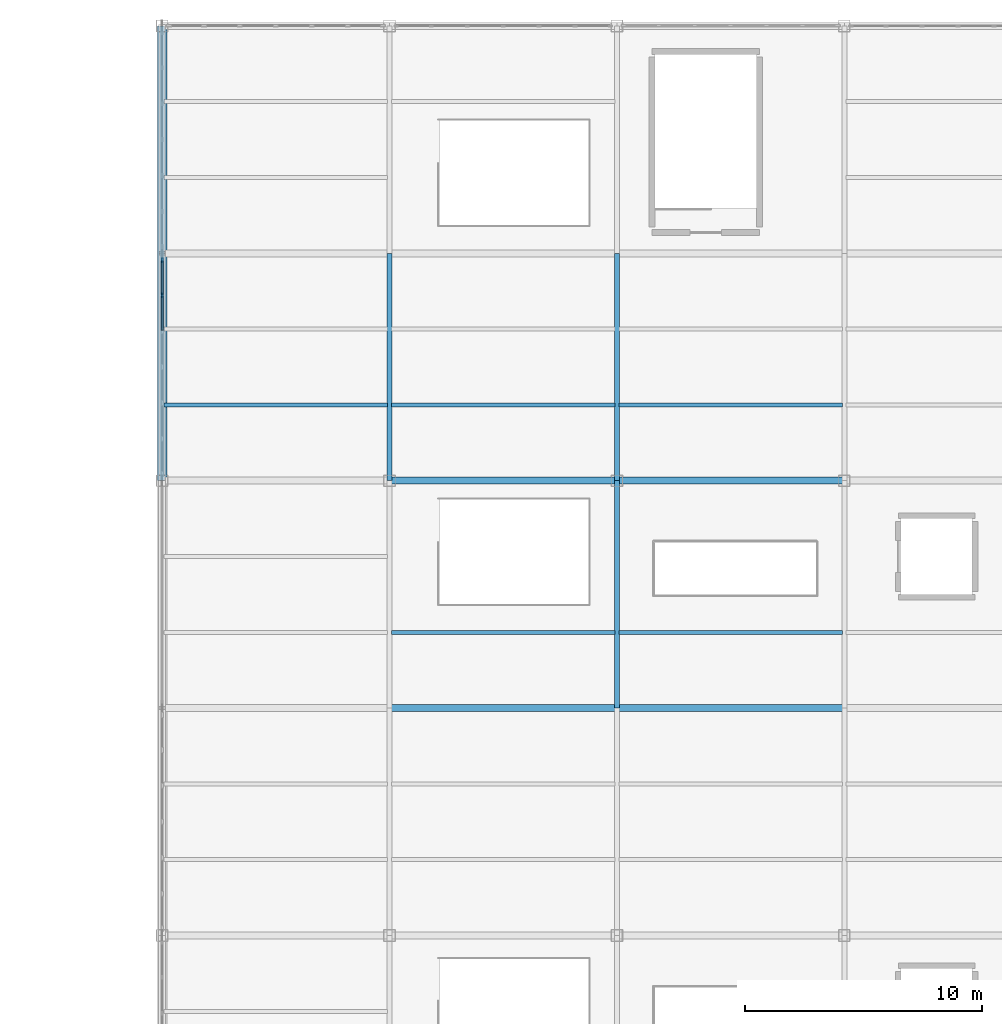
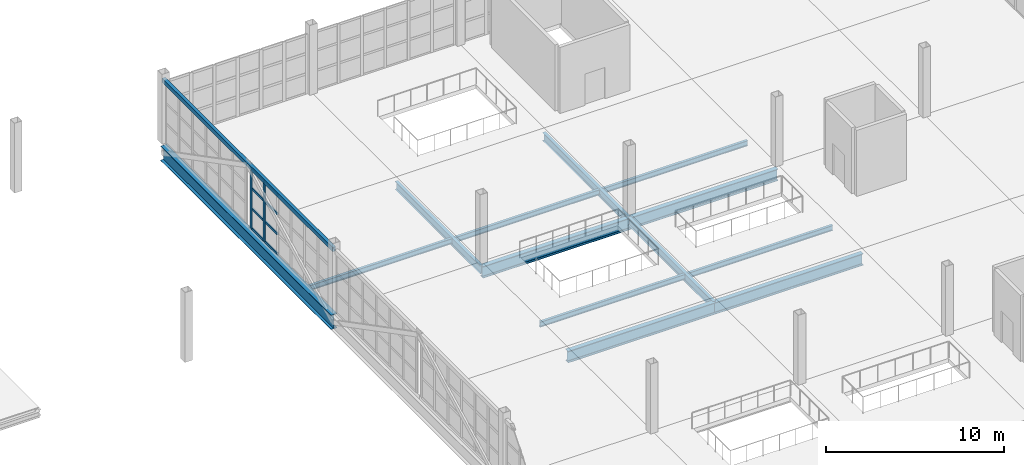
# One storey, part 51 of 120: 13 beams, 11 members, 1 element without a shape of its own.
"""IFC4 building model written with IfcOpenShell, lengths in metres."""

import ifcopenshell
import ifcopenshell.guid

model = None  # the IFC model being written
_history = None  # IfcOwnerHistory: only IFC2X3 demands one
_inside = {}  # id of a spatial element -> (the spatial element, [elements in it])
_under = {}  # id of a project, library or spatial element -> (it, [spatial elements below it])
_declared = {}  # id of a project -> (the project, [libraries it declares])
_typed = {}  # id of a type object -> (the type object, [elements of that type])
_made_of = {}  # id of a material, layer set ... -> (it, [elements and type objects made of it])


def new_model(schema):
    """Start an empty IFC model of exactly this schema.

    Asked for "IFC4X3", IfcOpenShell would pick the latest addendum, in which some entities
    have other attributes; the version numbers below select the first issue.
    IFC2X3 requires an IfcOwnerHistory on every rooted entity: one is made here for all.
    """
    global model, _history
    if schema == "IFC4X3":
        model = ifcopenshell.file(schema_version=(4, 3, 0, 0))
    else:
        model = ifcopenshell.file(schema=schema)
    _inside.clear()
    _under.clear()
    _declared.clear()
    _typed.clear()
    _made_of.clear()
    _history = None
    if model.schema == "IFC2X3":
        org = make("IfcOrganization", Name="unknown")
        user = make(
            "IfcPersonAndOrganization",
            ThePerson=make("IfcPerson", FamilyName="unknown"),
            TheOrganization=org,
        )
        app = make(
            "IfcApplication",
            ApplicationDeveloper=org,
            Version="unknown",
            ApplicationFullName="unknown",
            ApplicationIdentifier="unknown",
        )
        _history = make(
            "IfcOwnerHistory",
            OwningUser=user,
            OwningApplication=app,
            ChangeAction="ADDED",
            CreationDate=0,
        )
    return model


def make(cls, **values):
    """One entity of the class cls with the attributes given. An attribute that is None is left unset."""
    return model.create_entity(
        cls, **{name: value for name, value in values.items() if value is not None}
    )


def rooted(cls, **values):
    """An entity with a GlobalId (a new one), such as an element, a storey or a relation."""
    return make(cls, GlobalId=ifcopenshell.guid.new(), OwnerHistory=_history, **values)


def si_unit(unit_type, name, prefix=None):
    """IfcSIUnit, for example si_unit("LENGTHUNIT", "METRE", prefix="MILLI")."""
    return make("IfcSIUnit", UnitType=unit_type, Prefix=prefix, Name=name)


def assignment(units):
    """IfcUnitAssignment: the units of a project."""
    return None if units is None else make("IfcUnitAssignment", Units=units)


def point(xyz):
    """IfcCartesianPoint."""
    return None if xyz is None else make("IfcCartesianPoint", Coordinates=xyz)


def direction(xyz):
    """IfcDirection."""
    return None if xyz is None else make("IfcDirection", DirectionRatios=xyz)


def frame(location, z_axis=None, x_axis=None):
    """IfcAxis2Placement3D, a coordinate frame: its origin and axes. An axis left out is left unset."""
    return make(
        "IfcAxis2Placement3D",
        Location=point(location),
        Axis=direction(z_axis),
        RefDirection=direction(x_axis),
    )


def frame_2d(location, x_axis=None):
    """IfcAxis2Placement2D, a coordinate frame in the plane: its origin and x axis."""
    return make(
        "IfcAxis2Placement2D", Location=point(location), RefDirection=direction(x_axis)
    )


def origin():
    """The frame at (0, 0, 0) with its axes left unset."""
    return frame((0.0, 0.0, 0.0))


def origin_2d():
    """The frame at (0, 0) in the plane with its x axis left unset."""
    return frame_2d((0.0, 0.0))


def place(relative_to, where):
    """IfcLocalPlacement: puts the frame where relative to a parent placement (None: the world)."""
    return make(
        "IfcLocalPlacement", PlacementRelTo=relative_to, RelativePlacement=where
    )


def context(
    kind, dimensions, precision=None, world=None, true_north=None, identifier=None
):
    """IfcGeometricRepresentationContext, for example the 3D "Model" context."""
    return make(
        "IfcGeometricRepresentationContext",
        ContextIdentifier=identifier,
        ContextType=kind,
        CoordinateSpaceDimension=dimensions,
        Precision=precision,
        WorldCoordinateSystem=world,
        TrueNorth=true_north,
    )


def subcontext(parent, identifier, kind, view, scale=None):
    """IfcGeometricRepresentationSubContext, for example "Body" below "Model"."""
    return make(
        "IfcGeometricRepresentationSubContext",
        ContextIdentifier=identifier,
        ContextType=kind,
        ParentContext=parent,
        TargetScale=scale,
        TargetView=view,
    )


def project(units=None, contexts=None):
    """IfcProject with its units and contexts."""
    return rooted(
        "IfcProject",
        Name="project",
        RepresentationContexts=contexts,
        UnitsInContext=assignment(units),
    )


def spatial(cls, under=None, at=None, **own):
    """A site, building, storey or space (cls), placed at a placement, below another one or the project."""
    s = rooted(cls, ObjectPlacement=at, **own)
    if under is not None:
        _under.setdefault(under.id(), (under, []))[1].append(s)
    return s


def profile(cls, at=None, kind="AREA", **sizes):
    """A parametric profile (cls). Its sizes go by their IFC names, for example OverallWidth=200.0."""
    return make(cls, ProfileType=kind, Position=at, **sizes)


def rectangle(**sizes):
    """IfcRectangleProfileDef."""
    return profile("IfcRectangleProfileDef", **sizes)


def hollow_rectangle(**sizes):
    """IfcRectangleHollowProfileDef."""
    return profile("IfcRectangleHollowProfileDef", **sizes)


def i_section(**sizes):
    """IfcIShapeProfileDef."""
    return profile("IfcIShapeProfileDef", **sizes)


def extrude(swept, where, along, depth):
    """IfcExtrudedAreaSolid: the profile swept, set in the frame where, extruded along a direction by depth."""
    return make(
        "IfcExtrudedAreaSolid",
        SweptArea=swept,
        Position=where,
        ExtrudedDirection=direction(along),
        Depth=depth,
    )


def shape(context_of_items, identifier, shape_type, items):
    """IfcShapeRepresentation: the items that make up one representation, for example the "Body"."""
    return make(
        "IfcShapeRepresentation",
        ContextOfItems=context_of_items,
        RepresentationIdentifier=identifier,
        RepresentationType=shape_type,
        Items=items,
    )


def material(Name=None, Category=None):
    """IfcMaterial."""
    return make("IfcMaterial", Name=Name, Category=Category)


def layer(
    of_material, thickness, ventilated=None, Name=None, Category=None, Priority=None
):
    """IfcMaterialLayer: one layer of a wall or slab, of a material (None: an air gap)."""
    return make(
        "IfcMaterialLayer",
        Material=of_material,
        LayerThickness=thickness,
        IsVentilated=ventilated,
        Name=Name,
        Category=Category,
        Priority=Priority,
    )


def layer_set(layers, Name=None):
    """IfcMaterialLayerSet."""
    return make("IfcMaterialLayerSet", MaterialLayers=layers, LayerSetName=Name)


def material_profile(
    of_material, cross_section, Name=None, Category=None, Priority=None
):
    """IfcMaterialProfile: a cross section and its material."""
    return make(
        "IfcMaterialProfile",
        Name=Name,
        Material=of_material,
        Profile=cross_section,
        Priority=Priority,
        Category=Category,
    )


def profile_set(profiles, Name=None, composite=None):
    """IfcMaterialProfileSet."""
    return make(
        "IfcMaterialProfileSet",
        Name=Name,
        MaterialProfiles=profiles,
        CompositeProfile=composite,
    )


def made_of(thing, what):
    """Note that an element or type object is made of a material, layer set ...; save() writes the relation."""
    if what is not None:
        _made_of.setdefault(what.id(), (what, []))[1].append(thing)
    return thing


def type_object(cls, material=None, **own):
    """A type object (cls), such as IfcWallType, which elements share."""
    return made_of(rooted(cls, **own), material)


def element(
    cls,
    number,
    at=None,
    inside=None,
    cuts=None,
    type_object=None,
    material=None,
    context=None,
    identifier="Body",
    shape_type=None,
    held_by="IfcProductDefinitionShape",
    body=None,
    shapes=None,
    **own,
):
    """One element of the class cls, such as IfcWall. Its Tag is "e" and its number.

    at: its placement. inside: the storey or other place that contains it. cuts: it is an
    opening in that element (IfcRelVoidsElement). A single representation is given by context,
    identifier, shape_type and body (its items); several are given by shapes. held_by: the class
    of the entity that holds the representations. save() writes the other relations.
    """
    e = rooted(cls, Tag="e%d" % number, ObjectPlacement=at, **own)
    if body is not None:
        shapes = [shape(context, identifier, shape_type, body)]
    if shapes is not None:
        e.Representation = make(held_by, Representations=shapes)
    if inside is not None:
        _inside.setdefault(inside.id(), (inside, []))[1].append(e)
    if cuts is not None:
        rooted(
            "IfcRelVoidsElement", RelatingBuildingElement=cuts, RelatedOpeningElement=e
        )
    if type_object is not None:
        _typed.setdefault(type_object.id(), (type_object, []))[1].append(e)
    return made_of(e, material)


def aggregate(whole, parts):
    """IfcRelAggregates: a whole, such as a stair, and the parts it consists of."""
    return rooted("IfcRelAggregates", RelatingObject=whole, RelatedObjects=parts)


def save(model, path):
    """Write the relations noted so far, then the file.

    IfcRelAggregates (storeys below a building ...), IfcRelContainedInSpatialStructure (elements
    in a storey), IfcRelDefinesByType, IfcRelAssociatesMaterial and IfcRelDeclares: one each for
    every whole, place, type object, material and project.
    """
    for whole, parts in _under.values():
        aggregate(whole, parts)
    for where, things in _inside.values():
        rooted(
            "IfcRelContainedInSpatialStructure",
            RelatedElements=things,
            RelatingStructure=where,
        )
    for kind, things in _typed.values():
        rooted("IfcRelDefinesByType", RelatedObjects=things, RelatingType=kind)
    for what, things in _made_of.values():
        rooted("IfcRelAssociatesMaterial", RelatedObjects=things, RelatingMaterial=what)
    for by, libraries in _declared.values():
        rooted("IfcRelDeclares", RelatingContext=by, RelatedDefinitions=libraries)
    model.write(path)


model = new_model("IFC4")

# Units and contexts
model_context = context("Model", 3, precision=1e-05, world=origin(), true_north=direction((0.0, 1.0)))
body_context = subcontext(model_context, "Body", "Model", "MODEL_VIEW")
ifc_project = project(units=[si_unit("LENGTHUNIT", "METRE"), si_unit("AREAUNIT", "SQUARE_METRE"), si_unit("VOLUMEUNIT", "CUBIC_METRE"), si_unit("PLANEANGLEUNIT", "RADIAN"), si_unit("MASSUNIT", "GRAM", prefix="KILO")], contexts=[model_context])

# Site, building, storey
site_placement = place(None, origin())
site = spatial("IfcSite", under=ifc_project, at=site_placement, CompositionType="ELEMENT")
building_placement = place(site_placement, origin())
building = spatial("IfcBuilding", under=site, at=building_placement, Name="Zarnetskaya Central Station", CompositionType="ELEMENT")
storey_placement = place(building_placement, frame((0.0, 0.0, 5.39990234375)))
storey = spatial("IfcBuildingStorey", under=building, at=storey_placement, Name="L01", CompositionType="ELEMENT", Elevation=5.39990234375)

# Beams
ifc_material_1 = material(Name="Steel S355", Category="steel")
ifc_material_profile_1 = material_profile(ifc_material_1, i_section(OverallWidth=0.169921875, OverallDepth=0.360107421875, WebThickness=0.008056640625, FlangeThickness=0.0126953125, FilletRadius=0.01806640625, at=origin_2d()), Name="IPE 360")
ifc_profile_set_1 = profile_set([ifc_material_profile_1], Name="Steel S355")
beam_type_1 = type_object("IfcBeamType", Name="BM-SEC-360", PredefinedType="BEAM", material=ifc_profile_set_1)
beam_1_placement = place(storey_placement, frame((67.280029296875, 108.800048828125, -0.4599609375), z_axis=(1.0, 0.0, 0.0), x_axis=(0.0, 1.0, 0.0)))
element("IfcBeam", 1, at=beam_1_placement, inside=storey, type_object=beam_type_1, Name="Secondary floor beam SEC-L01-Z512-HJ-1314-1", PredefinedType="BEAM", context=body_context, shape_type="SweptSolid", body=[
    extrude(i_section(OverallWidth=0.169921875, OverallDepth=0.360107421875, WebThickness=0.008056640625, FlangeThickness=0.0126953125, FilletRadius=0.01806640625, at=origin_2d()), origin(), (0.0, 0.0, 1.0), 9.43994140625),
])
for number, where, z_axis, x_axis, name in (
    (2, (76.8798828125, 99.199951171875, -0.4599609375), (1.0, 0.0, 0.0), (0.0, 1.0, 0.0), "Secondary floor beam SEC-L01-Z512-JK-1213-1"),
    (3, (76.8798828125, 108.800048828125, -0.4599609375), (1.0, 0.0, 0.0), (0.0, 1.0, 0.0), "Secondary floor beam SEC-L01-Z512-JK-1314-1"),
):
    element("IfcBeam", number, at=place(storey_placement, frame(where, z_axis=z_axis, x_axis=x_axis)), inside=storey, type_object=beam_type_1, Name=name, PredefinedType="BEAM", context=body_context, shape_type="SweptSolid", body=[
        extrude(i_section(OverallWidth=0.169921875, OverallDepth=0.360107421875, WebThickness=0.008056640625, FlangeThickness=0.0126953125, FilletRadius=0.01806640625, at=origin_2d()), origin(), (0.0, 0.0, 1.0), 9.440185546875),
    ])
for number, where, z_axis, x_axis, name in (
    (4, (86.47998046875, 99.199951171875, -0.4599609375), (1.0, 0.0, 0.0), (0.0, 1.0, 0.0), "Secondary floor beam SEC-L01-Z512-KL-1213-1"),
    (5, (86.47998046875, 108.800048828125, -0.4599609375), (1.0, 0.0, 0.0), (0.0, 1.0, 0.0), "Secondary floor beam SEC-L01-Z512-KL-1314-1"),
):
    element("IfcBeam", number, at=place(storey_placement, frame(where, z_axis=z_axis, x_axis=x_axis)), inside=storey, type_object=beam_type_1, Name=name, PredefinedType="BEAM", context=body_context, shape_type="SweptSolid", body=[
        extrude(i_section(OverallWidth=0.169921875, OverallDepth=0.360107421875, WebThickness=0.008056640625, FlangeThickness=0.0126953125, FilletRadius=0.01806640625, at=origin_2d()), origin(), (0.0, 0.0, 1.0), 9.43994140625),
    ])

# Curtain wall, members
ifc_material_2 = material(Name="Low-E insulated glass", Category="glass")
ifc_layer = layer(ifc_material_2, 0.172119140625, Name="Low-E insulated glass", Category="glass")
ifc_layer_set = layer_set([ifc_layer], Name="Low-E insulated glass")
curtain_wall_type = type_object("IfcCurtainWallType", Name="CW-SYS-09", PredefinedType="USERDEFINED", material=ifc_layer_set)
curtain_wall_placement = place(storey_placement, origin())
curtain_wall = element("IfcCurtainWall", 6, at=curtain_wall_placement, inside=storey, type_object=curtain_wall_type, Name="Curtain wall CW-L01-150", ObjectType="CURTAIN WALL", PredefinedType="USERDEFINED")
ifc_material_3 = material(Name="Anodised aluminium", Category="aluminium")
ifc_material_profile_2 = material_profile(ifc_material_3, rectangle(XDim=0.080078125, YDim=0.219970703125, at=origin_2d()), Name="ALU MULL 80x220")
ifc_profile_set_2 = profile_set([ifc_material_profile_2], Name="Anodised aluminium")
member_type_1 = type_object("IfcMemberType", Name="CW-MULL-220", PredefinedType="MULLION", material=ifc_profile_set_2)
member_1_placement = place(storey_placement, frame((67.199951171875, 113.433349609375, 0.0), z_axis=(0.0, 0.0, 1.0), x_axis=(-1.0, 0.0, 0.0)))
member_1 = element("IfcMember", 7, at=member_1_placement, type_object=member_type_1, Name="CW-07 mullion 6", PredefinedType="MULLION", context=body_context, shape_type="SweptSolid", body=[
    extrude(rectangle(XDim=0.080078125, YDim=0.219970703125, at=origin_2d()), origin(), (0.0, 0.0, 1.0), 4.10009765625),
])
member_2_placement = place(storey_placement, frame((67.199951171875, 114.909912109375, 0.0), z_axis=(0.0, 0.0, 1.0), x_axis=(-1.0, 0.0, 0.0)))
member_2 = element("IfcMember", 8, at=member_2_placement, type_object=member_type_1, Name="CW-07 mullion 7", PredefinedType="MULLION", context=body_context, shape_type="SweptSolid", body=[
    extrude(rectangle(XDim=0.080078125, YDim=0.219970703125, at=origin_2d()), origin(), (0.0, 0.0, 1.0), 4.10009765625),
])
ifc_material_profile_3 = material_profile(ifc_material_3, rectangle(XDim=0.080078125, YDim=0.159912109375, at=origin_2d()), Name="ALU TRAN 80x160")
ifc_profile_set_3 = profile_set([ifc_material_profile_3], Name="Anodised aluminium")
member_type_2 = type_object("IfcMemberType", Name="CW-TRAN-160", PredefinedType="USERDEFINED", material=ifc_profile_set_3)
member_3_placement = place(storey_placement, frame((67.199951171875, 111.956787109375, 0.0400390625), z_axis=(0.0, 1.0, 0.0), x_axis=(-1.0, 0.0, 0.0)))
member_3 = element("IfcMember", 9, at=member_3_placement, type_object=member_type_2, Name="CW-07 transom 5.1", ObjectType="TRANSOM", PredefinedType="USERDEFINED", context=body_context, shape_type="SweptSolid", body=[
    extrude(rectangle(XDim=0.080078125, YDim=0.159912109375, at=origin_2d()), origin(), (0.0, 0.0, 1.0), 1.4365234375),
])
member_4_placement = place(storey_placement, frame((67.199951171875, 111.956787109375, 1.39404296875), z_axis=(0.0, 1.0, 0.0), x_axis=(-1.0, 0.0, 0.0)))
member_4 = element("IfcMember", 10, at=member_4_placement, type_object=member_type_2, Name="CW-07 transom 5.2", ObjectType="TRANSOM", PredefinedType="USERDEFINED", context=body_context, shape_type="SweptSolid", body=[
    extrude(rectangle(XDim=0.080078125, YDim=0.159912109375, at=origin_2d()), origin(), (0.0, 0.0, 1.0), 1.4365234375),
])
member_5_placement = place(storey_placement, frame((67.199951171875, 111.956787109375, 2.7880859375), z_axis=(0.0, 1.0, 0.0), x_axis=(-1.0, 0.0, 0.0)))
member_5 = element("IfcMember", 11, at=member_5_placement, type_object=member_type_2, Name="CW-07 transom 5.3", ObjectType="TRANSOM", PredefinedType="USERDEFINED", context=body_context, shape_type="SweptSolid", body=[
    extrude(rectangle(XDim=0.080078125, YDim=0.159912109375, at=origin_2d()), origin(), (0.0, 0.0, 1.0), 1.4365234375),
])
member_6_placement = place(storey_placement, frame((67.199951171875, 111.956787109375, 4.06005859375), z_axis=(0.0, 1.0, 0.0), x_axis=(-1.0, 0.0, 0.0)))
member_6 = element("IfcMember", 12, at=member_6_placement, type_object=member_type_2, Name="CW-07 transom 5.4", ObjectType="TRANSOM", PredefinedType="USERDEFINED", context=body_context, shape_type="SweptSolid", body=[
    extrude(rectangle(XDim=0.080078125, YDim=0.159912109375, at=origin_2d()), origin(), (0.0, 0.0, 1.0), 1.4365234375),
])
member_7_placement = place(storey_placement, frame((67.199951171875, 113.473388671875, 0.0400390625), z_axis=(0.0, 1.0, 0.0), x_axis=(-1.0, 0.0, 0.0)))
member_7 = element("IfcMember", 13, at=member_7_placement, type_object=member_type_2, Name="CW-07 transom 6.1", ObjectType="TRANSOM", PredefinedType="USERDEFINED", context=body_context, shape_type="SweptSolid", body=[
    extrude(rectangle(XDim=0.080078125, YDim=0.159912109375, at=origin_2d()), origin(), (0.0, 0.0, 1.0), 1.396728515625),
])
member_8_placement = place(storey_placement, frame((67.199951171875, 113.473388671875, 1.39404296875), z_axis=(0.0, 1.0, 0.0), x_axis=(-1.0, 0.0, 0.0)))
member_8 = element("IfcMember", 14, at=member_8_placement, type_object=member_type_2, Name="CW-07 transom 6.2", ObjectType="TRANSOM", PredefinedType="USERDEFINED", context=body_context, shape_type="SweptSolid", body=[
    extrude(rectangle(XDim=0.080078125, YDim=0.159912109375, at=origin_2d()), origin(), (0.0, 0.0, 1.0), 1.396728515625),
])
member_9_placement = place(storey_placement, frame((67.199951171875, 113.473388671875, 2.7880859375), z_axis=(0.0, 1.0, 0.0), x_axis=(-1.0, 0.0, 0.0)))
member_9 = element("IfcMember", 15, at=member_9_placement, type_object=member_type_2, Name="CW-07 transom 6.3", ObjectType="TRANSOM", PredefinedType="USERDEFINED", context=body_context, shape_type="SweptSolid", body=[
    extrude(rectangle(XDim=0.080078125, YDim=0.159912109375, at=origin_2d()), origin(), (0.0, 0.0, 1.0), 1.396728515625),
])
member_10_placement = place(storey_placement, frame((67.199951171875, 113.473388671875, 4.06005859375), z_axis=(0.0, 1.0, 0.0), x_axis=(-1.0, 0.0, 0.0)))
member_10 = element("IfcMember", 16, at=member_10_placement, type_object=member_type_2, Name="CW-07 transom 6.4", ObjectType="TRANSOM", PredefinedType="USERDEFINED", context=body_context, shape_type="SweptSolid", body=[
    extrude(rectangle(XDim=0.080078125, YDim=0.159912109375, at=origin_2d()), origin(), (0.0, 0.0, 1.0), 1.396728515625),
])
aggregate(curtain_wall, [member_1, member_2, member_3, member_4, member_5, member_6, member_7, member_8, member_9, member_10])

# Beams
ifc_material_profile_4 = material_profile(ifc_material_1, i_section(OverallWidth=0.300048828125, OverallDepth=0.800048828125, WebThickness=0.017578125, FlangeThickness=0.032958984375, FilletRadius=0.030029296875, at=origin_2d()), Name="HEB 800")
ifc_profile_set_4 = profile_set([ifc_material_profile_4], Name="Steel S355")
beam_type_2 = type_object("IfcBeamType", Name="GD-BRG-800", PredefinedType="USERDEFINED", material=ifc_profile_set_4)
for number, where, z_axis, x_axis, name in (
    (17, (76.800048828125, 96.0, -0.679931640625), (1.0, 0.0, 0.0), (0.0, 1.0, 0.0), "Grid girder GX-L01-12-JK"),
    (18, (76.800048828125, 105.60009765625, -0.679931640625), (1.0, 0.0, 0.0), (0.0, 1.0, 0.0), "Grid girder GX-L01-13-JK"),
):
    element("IfcBeam", number, at=place(storey_placement, frame(where, z_axis=z_axis, x_axis=x_axis)), inside=storey, type_object=beam_type_2, Name=name, ObjectType="GIRDER", PredefinedType="USERDEFINED", context=body_context, shape_type="SweptSolid", body=[
        extrude(i_section(OverallWidth=0.300048828125, OverallDepth=0.800048828125, WebThickness=0.017578125, FlangeThickness=0.032958984375, FilletRadius=0.030029296875, at=origin_2d()), origin(), (0.0, 0.0, 1.0), 9.599853515625),
    ])
for number, where, z_axis, x_axis, name in (
    (19, (86.39990234375, 96.0, -0.679931640625), (1.0, 0.0, 0.0), (0.0, 1.0, 0.0), "Grid girder GX-L01-12-KL"),
    (20, (86.39990234375, 105.60009765625, -0.679931640625), (1.0, 0.0, 0.0), (0.0, 1.0, 0.0), "Grid girder GX-L01-13-KL"),
):
    element("IfcBeam", number, at=place(storey_placement, frame(where, z_axis=z_axis, x_axis=x_axis)), inside=storey, type_object=beam_type_2, Name=name, ObjectType="GIRDER", PredefinedType="USERDEFINED", context=body_context, shape_type="SweptSolid", body=[
        extrude(i_section(OverallWidth=0.300048828125, OverallDepth=0.800048828125, WebThickness=0.017578125, FlangeThickness=0.032958984375, FilletRadius=0.030029296875, at=origin_2d()), origin(), (0.0, 0.0, 1.0), 9.60009765625),
    ])
ifc_material_profile_5 = material_profile(ifc_material_1, i_section(OverallWidth=0.2099609375, OverallDepth=0.550048828125, WebThickness=0.010986328125, FlangeThickness=0.01708984375, FilletRadius=0.02392578125, at=origin_2d()), Name="IPE 550")
ifc_profile_set_5 = profile_set([ifc_material_profile_5], Name="Steel S355")
beam_type_3 = type_object("IfcBeamType", Name="GD-FLR-550", PredefinedType="USERDEFINED", material=ifc_profile_set_5)
beam_2_placement = place(storey_placement, frame((76.800048828125, 105.60009765625, -0.554931640625), z_axis=(0.0, 1.0, 0.0), x_axis=(-1.0, 0.0, 0.0)))
element("IfcBeam", 21, at=beam_2_placement, inside=storey, type_object=beam_type_3, Name="Grid girder GY-L01-J-1314", ObjectType="GIRDER", PredefinedType="USERDEFINED", context=body_context, shape_type="SweptSolid", body=[
    extrude(i_section(OverallWidth=0.2099609375, OverallDepth=0.550048828125, WebThickness=0.010986328125, FlangeThickness=0.01708984375, FilletRadius=0.02392578125, at=origin_2d()), origin(), (0.0, 0.0, 1.0), 9.599853515625),
])
beam_3_placement = place(storey_placement, frame((86.39990234375, 96.0, -0.554931640625), z_axis=(0.0, 1.0, 0.0), x_axis=(-1.0, 0.0, 0.0)))
element("IfcBeam", 22, at=beam_3_placement, inside=storey, type_object=beam_type_3, Name="Grid girder GY-L01-K-1213", ObjectType="GIRDER", PredefinedType="USERDEFINED", context=body_context, shape_type="SweptSolid", body=[
    extrude(i_section(OverallWidth=0.2099609375, OverallDepth=0.550048828125, WebThickness=0.010986328125, FlangeThickness=0.01708984375, FilletRadius=0.02392578125, at=origin_2d()), origin(), (0.0, 0.0, 1.0), 9.60009765625),
])
beam_4_placement = place(storey_placement, frame((86.39990234375, 105.60009765625, -0.554931640625), z_axis=(0.0, 1.0, 0.0), x_axis=(-1.0, 0.0, 0.0)))
element("IfcBeam", 23, at=beam_4_placement, inside=storey, type_object=beam_type_3, Name="Grid girder GY-L01-K-1314", ObjectType="GIRDER", PredefinedType="USERDEFINED", context=body_context, shape_type="SweptSolid", body=[
    extrude(i_section(OverallWidth=0.2099609375, OverallDepth=0.550048828125, WebThickness=0.010986328125, FlangeThickness=0.01708984375, FilletRadius=0.02392578125, at=origin_2d()), origin(), (0.0, 0.0, 1.0), 9.599853515625),
])
ifc_material_profile_6 = material_profile(ifc_material_1, i_section(OverallWidth=0.39990234375, OverallDepth=1.0, WebThickness=0.02001953125, FlangeThickness=0.031982421875, at=origin_2d()), Name="PG 1000x400x20x32")
ifc_profile_set_6 = profile_set([ifc_material_profile_6], Name="Steel S355")
beam_type_4 = type_object("IfcBeamType", Name="GD-XFER-1000", PredefinedType="USERDEFINED", material=ifc_profile_set_6)
beam_5_placement = place(storey_placement, frame((67.199951171875, 105.60009765625, -0.77978515625), z_axis=(0.0, 1.0, 0.0), x_axis=(-1.0, 0.0, 0.0)))
element("IfcBeam", 24, at=beam_5_placement, inside=storey, type_object=beam_type_4, Name="Transfer truss H 13-15 bottom chord", ObjectType="GIRDER", PredefinedType="USERDEFINED", context=body_context, shape_type="SweptSolid", body=[
    extrude(i_section(OverallWidth=0.39990234375, OverallDepth=1.0, WebThickness=0.02001953125, FlangeThickness=0.031982421875, at=origin_2d()), origin(), (0.0, 0.0, 1.0), 19.199951171875),
])

# Member
ifc_material_profile_7 = material_profile(ifc_material_1, hollow_rectangle(XDim=0.199951171875, YDim=0.300048828125, WallThickness=0.012451171875, at=origin_2d()), Name="RHS 300x200x12.5")
ifc_profile_set_7 = profile_set([ifc_material_profile_7], Name="Steel S355")
member_type_3 = type_object("IfcMemberType", Name="MB-TRUSS-TOP", PredefinedType="CHORD", material=ifc_profile_set_7)
member_11_placement = place(storey_placement, frame((67.199951171875, 105.60009765625, 4.2001953125), z_axis=(0.0, 1.0, 0.0), x_axis=(-1.0, 0.0, 0.0)))
element("IfcMember", 25, at=member_11_placement, inside=storey, type_object=member_type_3, Name="Transfer truss H 13-15 top chord", PredefinedType="CHORD", context=body_context, shape_type="SweptSolid", body=[
    extrude(hollow_rectangle(XDim=0.199951171875, YDim=0.300048828125, WallThickness=0.012451171875, at=origin_2d()), origin(), (0.0, 0.0, 1.0), 19.199951171875),
])

save(model, "model.ifc")
